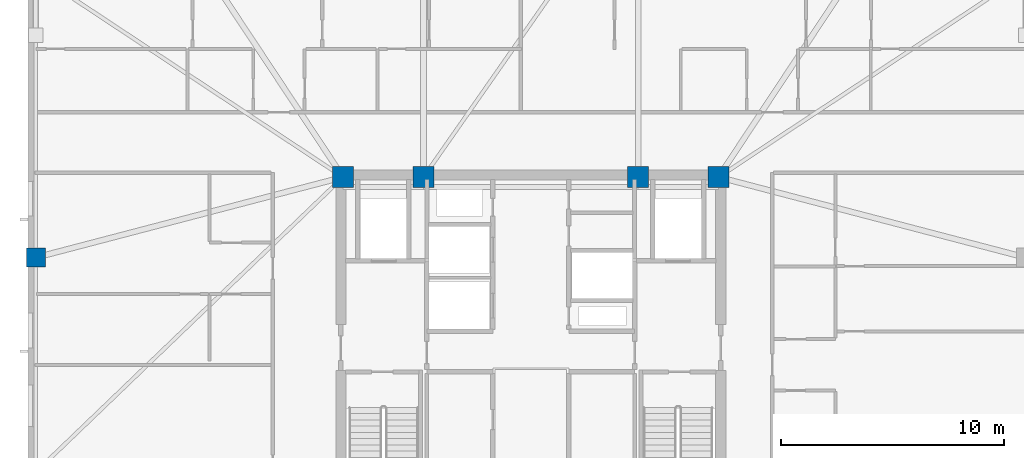
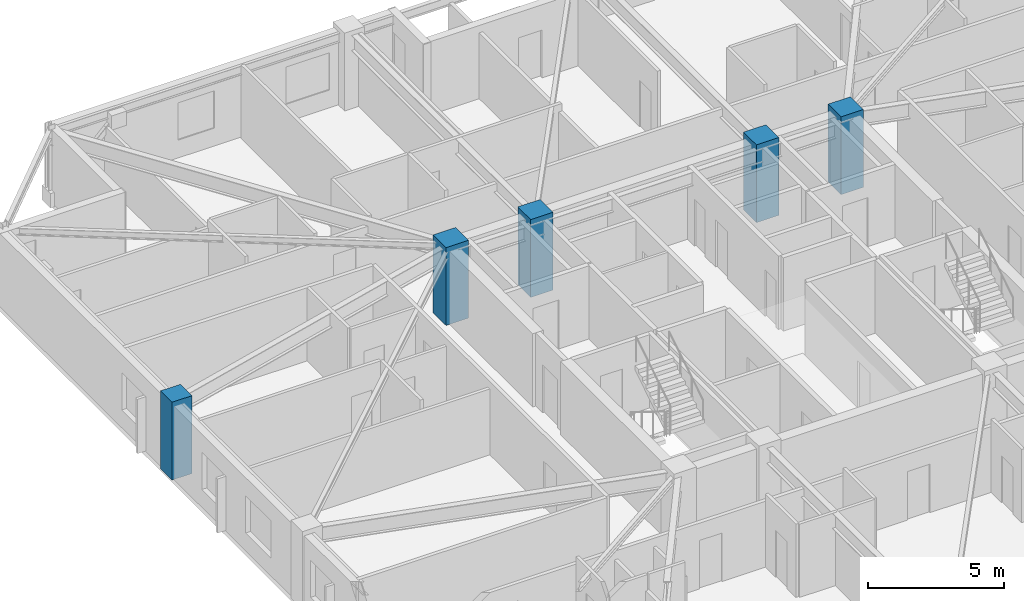
# One storey, part 2 of 17: 5 columns.
"""IFC4 building model written with IfcOpenShell, lengths in metres."""

from ifc_helpers import new_model, si_unit, direction, frame, origin, origin_2d, place, context, subcontext, project, spatial, rectangle, extrude, material, material_profile, profile_set, type_object, element, save


model = new_model("IFC4")

# Units and contexts
model_context = context("Model", 3, precision=1e-05, world=origin(), true_north=direction((0.0, 1.0)))
body_context = subcontext(model_context, "Body", "Model", "MODEL_VIEW")
ifc_project = project(units=[si_unit("LENGTHUNIT", "METRE"), si_unit("AREAUNIT", "SQUARE_METRE"), si_unit("VOLUMEUNIT", "CUBIC_METRE"), si_unit("PLANEANGLEUNIT", "RADIAN"), si_unit("MASSUNIT", "GRAM", prefix="KILO")], contexts=[model_context])

# Site, building, storey
site_placement = place(None, origin())
site = spatial("IfcSite", under=ifc_project, at=site_placement, CompositionType="ELEMENT")
building_placement = place(site_placement, origin())
building = spatial("IfcBuilding", under=site, at=building_placement, Name="Cairnveth Concourse Tower", CompositionType="ELEMENT")
storey_placement = place(building_placement, frame((0.0, 0.0, 213.0)))
storey = spatial("IfcBuildingStorey", under=building, at=storey_placement, Name="L58", CompositionType="ELEMENT", Elevation=213.0)

# Columns
ifc_material = material(Name="Concrete N65 (65 MPa)", Category="concrete")
ifc_material_profile_1 = material_profile(ifc_material, rectangle(XDim=0.949951171875, YDim=0.949951171875, at=origin_2d()), Name="RC-COL-950x950")
ifc_profile_set_1 = profile_set([ifc_material_profile_1], Name="Concrete N65 (65 MPa)")
column_type_1 = type_object("IfcColumnType", Name="CORE COLUMN 950X950", PredefinedType="COLUMN", material=ifc_profile_set_1)
for number, where, z_axis, x_axis, name in (
    (1, (43.60009765625, 47.39990234375, 0.0), (0.0, 0.0, 1.0), (1.0, 0.0, 0.0), "Column CC5 L58"),
    (2, (47.199951171875, 47.39990234375, 0.0), (0.0, 0.0, 1.0), (1.0, 0.0, 0.0), "Column CC6 L58"),
    (3, (56.800048828125, 47.39990234375, 0.0), (0.0, 0.0, 1.0), (1.0, 0.0, 0.0), "Column CC7 L58"),
    (4, (60.39990234375, 47.39990234375, 0.0), (0.0, 0.0, 1.0), (1.0, 0.0, 0.0), "Column CC8 L58"),
):
    element("IfcColumn", number, at=place(storey_placement, frame(where, z_axis=z_axis, x_axis=x_axis)), inside=storey, type_object=column_type_1, Name=name, PredefinedType="COLUMN", context=body_context, shape_type="SweptSolid", body=[
        extrude(rectangle(XDim=0.949951171875, YDim=0.949951171875, at=origin_2d()), origin(), (0.0, 0.0, 1.0), 3.5),
    ])
ifc_material_profile_2 = material_profile(ifc_material, rectangle(XDim=0.85009765625, YDim=0.85009765625, at=origin_2d()), Name="RC-COL-850x850")
ifc_profile_set_2 = profile_set([ifc_material_profile_2], Name="Concrete N65 (65 MPa)")
column_type_2 = type_object("IfcColumnType", Name="PERIMETER PIER COLUMN 850X850", PredefinedType="COLUMN", material=ifc_profile_set_2)
column_placement = place(storey_placement, frame((29.85009765625, 43.800048828125, 0.0), z_axis=(0.0, 0.0, 1.0), x_axis=(0.0, 1.0, 0.0)))
element("IfcColumn", 5, at=column_placement, inside=storey, type_object=column_type_2, Name="Column P-W2 L58", PredefinedType="COLUMN", context=body_context, shape_type="SweptSolid", body=[
    extrude(rectangle(XDim=0.85009765625, YDim=0.85009765625, at=origin_2d()), origin(), (0.0, 0.0, 1.0), 3.5),
])

save(model, "model.ifc")
